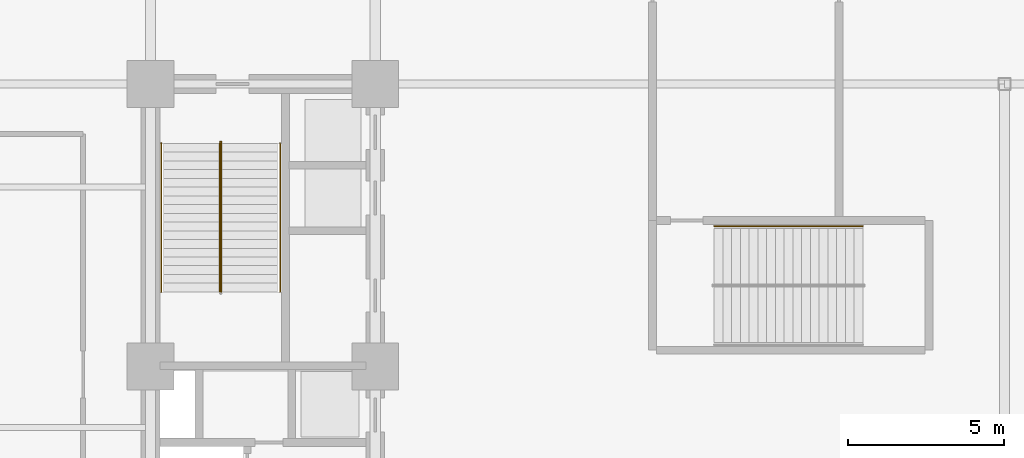
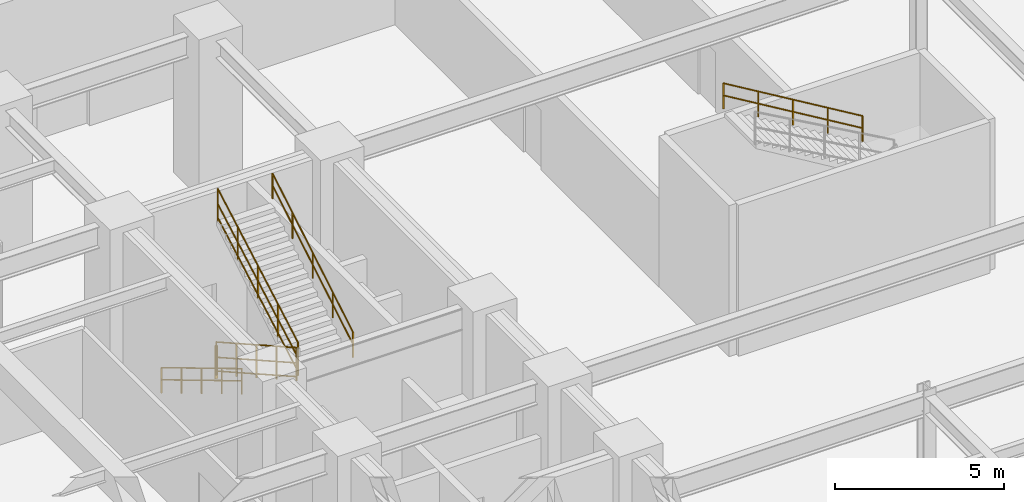
# One storey, part 16 of 18: 6 railings.
"""IFC4 building model written with IfcOpenShell, lengths in metres."""

from ifc_helpers import new_model, entity, si_unit, converted_unit, direction, frame, origin_with_axes, origin_2d_with_axis, place, context, subcontext, project, spatial, rectangle, circle, extrude, material, type_object, element, save


model = new_model("IFC4")

# Units and contexts
model_context = context("Model", 3, precision=1e-05, world=origin_with_axes(), true_north=direction((0.0, 1.0)))
body_context = subcontext(model_context, "Body", "Model", "MODEL_VIEW")
ifc_project = project(units=[si_unit("LENGTHUNIT", "METRE"), si_unit("AREAUNIT", "SQUARE_METRE"), si_unit("VOLUMEUNIT", "CUBIC_METRE"), converted_unit("PLANEANGLEUNIT", "DEGREE", entity("IfcPlaneAngleMeasure", 0.017453292519943295), si_unit("PLANEANGLEUNIT", "RADIAN"), dimensions=[0, 0, 0, 0, 0, 0, 0]), si_unit("MASSUNIT", "GRAM", prefix="KILO"), si_unit("THERMODYNAMICTEMPERATUREUNIT", "KELVIN")], contexts=[model_context])

# Site, building, storey
site_placement = place(None, origin_with_axes())
site = spatial("IfcSite", under=ifc_project, at=site_placement, CompositionType="ELEMENT")
building_placement = place(site_placement, origin_with_axes())
building = spatial("IfcBuilding", under=site, at=building_placement, Name="Varnlund Millrace Tower", CompositionType="ELEMENT")
storey_placement = place(building_placement, origin_with_axes())
storey = spatial("IfcBuildingStorey", under=building, at=storey_placement, Name="L00", CompositionType="ELEMENT", Elevation=0.0)

# Railings
ifc_material_1 = material(Name="Painted steel stair well balustrade guard", Category="steel")
railing_type_1 = type_object("IfcRailingType", Name="Type-StairGuard-1150", PredefinedType="GUARDRAIL", material=ifc_material_1)
railing_1_placement = place(storey_placement, origin_with_axes())
element("IfcRailing", 1, at=railing_1_placement, inside=storey, type_object=railing_type_1, Name="Type-StairGuard-1150", PredefinedType="GUARDRAIL", context=body_context, shape_type="SweptSolid", body=[
    extrude(circle(Radius=0.024, at=origin_2d_with_axis()), frame((13.625, 35.9, 1.317647), z_axis=(0.0, -0.871196, 0.490936), x_axis=(1.0, 0.0, 0.0)), (0.0, 0.0, 1.0), 5.463755),
    extrude(circle(Radius=0.024, at=origin_2d_with_axis()), frame((13.625, 35.9, 0.267647), z_axis=(0.0, -0.871196, 0.490936), x_axis=(1.0, 0.0, 0.0)), (0.0, 0.0, 1.0), 5.463755),
    extrude(circle(Radius=0.024, at=origin_2d_with_axis()), frame((13.625, 35.9, 0.765647), z_axis=(0.0, -0.871196, 0.490936), x_axis=(1.0, 0.0, 0.0)), (0.0, 0.0, 1.0), 5.463755),
    extrude(rectangle(XDim=0.04, YDim=0.04, at=origin_2d_with_axis()), frame((13.625, 35.9, 0.127647), z_axis=(0.0, 0.0, 1.0), x_axis=(1.0, 0.0, 0.0)), (0.0, 0.0, 1.0), 1.19),
    extrude(rectangle(XDim=0.04, YDim=0.04, at=origin_2d_with_axis()), frame((13.625, 34.71, 0.798235), z_axis=(0.0, 0.0, 1.0), x_axis=(1.0, 0.0, 0.0)), (0.0, 0.0, 1.0), 1.19),
    extrude(rectangle(XDim=0.04, YDim=0.04, at=origin_2d_with_axis()), frame((13.625, 33.52, 1.468824), z_axis=(0.0, 0.0, 1.0), x_axis=(1.0, 0.0, 0.0)), (0.0, 0.0, 1.0), 1.19),
    extrude(rectangle(XDim=0.04, YDim=0.04, at=origin_2d_with_axis()), frame((13.625, 32.33, 2.139412), z_axis=(0.0, 0.0, 1.0), x_axis=(1.0, 0.0, 0.0)), (0.0, 0.0, 1.0), 1.19),
    extrude(rectangle(XDim=0.04, YDim=0.04, at=origin_2d_with_axis()), frame((13.625, 31.14, 2.81), z_axis=(0.0, 0.0, 1.0), x_axis=(1.0, 0.0, 0.0)), (0.0, 0.0, 1.0), 1.19),
])
railing_2_placement = place(storey_placement, origin_with_axes())
element("IfcRailing", 2, at=railing_2_placement, inside=storey, type_object=railing_type_1, Name="Type-StairGuard-1150", PredefinedType="GUARDRAIL", context=body_context, shape_type="SweptSolid", body=[
    extrude(circle(Radius=0.024, at=origin_2d_with_axis()), frame((13.675, 31.14, 4.167647), z_axis=(0.0, 0.871196, 0.490936), x_axis=(-1.0, 0.0, 0.0)), (0.0, 0.0, 1.0), 5.463755),
    extrude(circle(Radius=0.024, at=origin_2d_with_axis()), frame((13.675, 31.14, 3.117647), z_axis=(0.0, 0.871196, 0.490936), x_axis=(-1.0, 0.0, 0.0)), (0.0, 0.0, 1.0), 5.463755),
    extrude(circle(Radius=0.024, at=origin_2d_with_axis()), frame((13.675, 31.14, 3.615647), z_axis=(0.0, 0.871196, 0.490936), x_axis=(-1.0, 0.0, 0.0)), (0.0, 0.0, 1.0), 5.463755),
    extrude(rectangle(XDim=0.04, YDim=0.04, at=origin_2d_with_axis()), frame((13.675, 31.14, 2.977647), z_axis=(0.0, 0.0, 1.0), x_axis=(1.0, 0.0, 0.0)), (0.0, 0.0, 1.0), 1.19),
    extrude(rectangle(XDim=0.04, YDim=0.04, at=origin_2d_with_axis()), frame((13.675, 32.33, 3.648235), z_axis=(0.0, 0.0, 1.0), x_axis=(1.0, 0.0, 0.0)), (0.0, 0.0, 1.0), 1.19),
    extrude(rectangle(XDim=0.04, YDim=0.04, at=origin_2d_with_axis()), frame((13.675, 33.52, 4.318824), z_axis=(0.0, 0.0, 1.0), x_axis=(1.0, 0.0, 0.0)), (0.0, 0.0, 1.0), 1.19),
    extrude(rectangle(XDim=0.04, YDim=0.04, at=origin_2d_with_axis()), frame((13.675, 34.71, 4.989412), z_axis=(0.0, 0.0, 1.0), x_axis=(1.0, 0.0, 0.0)), (0.0, 0.0, 1.0), 1.19),
    extrude(rectangle(XDim=0.04, YDim=0.04, at=origin_2d_with_axis()), frame((13.675, 35.9, 5.66), z_axis=(0.0, 0.0, 1.0), x_axis=(1.0, 0.0, 0.0)), (0.0, 0.0, 1.0), 1.19),
])
railing_3_placement = place(storey_placement, origin_with_axes())
element("IfcRailing", 3, at=railing_3_placement, inside=storey, type_object=railing_type_1, Name="Type-StairGuard-1150", PredefinedType="GUARDRAIL", context=body_context, shape_type="SweptSolid", body=[
    extrude(circle(Radius=0.024, at=origin_2d_with_axis()), frame((13.675, 35.95, 1.15), z_axis=(-1.0, 0.0, 0.0), x_axis=(0.0, -1.0, 0.0)), (0.0, 0.0, 1.0), 0.05),
    extrude(circle(Radius=0.024, at=origin_2d_with_axis()), frame((13.675, 35.95, 0.1), z_axis=(-1.0, 0.0, 0.0), x_axis=(0.0, -1.0, 0.0)), (0.0, 0.0, 1.0), 0.05),
    extrude(circle(Radius=0.024, at=origin_2d_with_axis()), frame((13.675, 35.95, 0.598), z_axis=(-1.0, 0.0, 0.0), x_axis=(0.0, -1.0, 0.0)), (0.0, 0.0, 1.0), 0.05),
    extrude(rectangle(XDim=0.04, YDim=0.04, at=origin_2d_with_axis()), frame((13.675, 35.95, -0.04), z_axis=(0.0, 0.0, 1.0), x_axis=(1.0, 0.0, 0.0)), (0.0, 0.0, 1.0), 1.19),
    extrude(rectangle(XDim=0.04, YDim=0.04, at=origin_2d_with_axis()), frame((13.625, 35.95, -0.04), z_axis=(0.0, 0.0, 1.0), x_axis=(1.0, 0.0, 0.0)), (0.0, 0.0, 1.0), 1.19),
])
ifc_material_2 = material(Name="Brushed architectural bronze stair handrail", Category="aluminium")
railing_type_2 = type_object("IfcRailingType", Name="Type-StairHandrail-900", PredefinedType="HANDRAIL", material=ifc_material_2)
railing_4_placement = place(storey_placement, origin_with_axes())
element("IfcRailing", 4, at=railing_4_placement, inside=storey, type_object=railing_type_2, Name="Type-StairHandrail-900", PredefinedType="HANDRAIL", context=body_context, shape_type="SweptSolid", body=[
    extrude(circle(Radius=0.024, at=origin_2d_with_axis()), frame((11.75, 35.9, 1.047056), z_axis=(0.0, -0.85797, 0.5137), x_axis=(1.0, 0.0, 0.0)), (0.0, 0.0, 1.0), 5.547982),
    extrude(circle(Radius=0.024, at=origin_2d_with_axis()), frame((11.75, 35.9, 0.607351), z_axis=(0.0, -0.85797, 0.5137), x_axis=(1.0, 0.0, 0.0)), (0.0, 0.0, 1.0), 5.547982),
    extrude(rectangle(XDim=0.04, YDim=0.04, at=origin_2d_with_axis()), frame((11.75, 35.9, 0.127647), z_axis=(0.0, 0.0, 1.0), x_axis=(1.0, 0.0, 0.0)), (0.0, 0.0, 1.0), 0.919409),
    extrude(rectangle(XDim=0.04, YDim=0.04, at=origin_2d_with_axis()), frame((11.75, 34.71, 0.840147), z_axis=(0.0, 0.0, 1.0), x_axis=(1.0, 0.0, 0.0)), (0.0, 0.0, 1.0), 0.919409),
    extrude(rectangle(XDim=0.04, YDim=0.04, at=origin_2d_with_axis()), frame((11.75, 33.52, 1.552647), z_axis=(0.0, 0.0, 1.0), x_axis=(1.0, 0.0, 0.0)), (0.0, 0.0, 1.0), 0.919409),
    extrude(rectangle(XDim=0.04, YDim=0.04, at=origin_2d_with_axis()), frame((11.75, 32.33, 2.265147), z_axis=(0.0, 0.0, 1.0), x_axis=(1.0, 0.0, 0.0)), (0.0, 0.0, 1.0), 0.919409),
    extrude(rectangle(XDim=0.04, YDim=0.04, at=origin_2d_with_axis()), frame((11.75, 31.14, 2.977647), z_axis=(0.0, 0.0, 1.0), x_axis=(1.0, 0.0, 0.0)), (0.0, 0.0, 1.0), 0.919409),
])
railing_5_placement = place(storey_placement, origin_with_axes())
element("IfcRailing", 5, at=railing_5_placement, inside=storey, type_object=railing_type_2, Name="Type-StairHandrail-900", PredefinedType="HANDRAIL", context=body_context, shape_type="SweptSolid", body=[
    extrude(circle(Radius=0.024, at=origin_2d_with_axis()), frame((15.55, 31.14, 3.897056), z_axis=(0.0, 0.85797, 0.5137), x_axis=(-1.0, 0.0, 0.0)), (0.0, 0.0, 1.0), 5.547982),
    extrude(circle(Radius=0.024, at=origin_2d_with_axis()), frame((15.55, 31.14, 3.457351), z_axis=(0.0, 0.85797, 0.5137), x_axis=(-1.0, 0.0, 0.0)), (0.0, 0.0, 1.0), 5.547982),
    extrude(rectangle(XDim=0.04, YDim=0.04, at=origin_2d_with_axis()), frame((15.55, 31.14, 2.977647), z_axis=(0.0, 0.0, 1.0), x_axis=(1.0, 0.0, 0.0)), (0.0, 0.0, 1.0), 0.919409),
    extrude(rectangle(XDim=0.04, YDim=0.04, at=origin_2d_with_axis()), frame((15.55, 32.33, 3.690147), z_axis=(0.0, 0.0, 1.0), x_axis=(1.0, 0.0, 0.0)), (0.0, 0.0, 1.0), 0.919409),
    extrude(rectangle(XDim=0.04, YDim=0.04, at=origin_2d_with_axis()), frame((15.55, 33.52, 4.402647), z_axis=(0.0, 0.0, 1.0), x_axis=(1.0, 0.0, 0.0)), (0.0, 0.0, 1.0), 0.919409),
    extrude(rectangle(XDim=0.04, YDim=0.04, at=origin_2d_with_axis()), frame((15.55, 34.71, 5.115147), z_axis=(0.0, 0.0, 1.0), x_axis=(1.0, 0.0, 0.0)), (0.0, 0.0, 1.0), 0.919409),
    extrude(rectangle(XDim=0.04, YDim=0.04, at=origin_2d_with_axis()), frame((15.55, 35.9, 5.827647), z_axis=(0.0, 0.0, 1.0), x_axis=(1.0, 0.0, 0.0)), (0.0, 0.0, 1.0), 0.919409),
])
railing_6_placement = place(storey_placement, origin_with_axes())
element("IfcRailing", 6, at=railing_6_placement, inside=storey, type_object=railing_type_2, Name="Type-StairHandrail-900", PredefinedType="HANDRAIL", context=body_context, shape_type="SweptSolid", body=[
    extrude(circle(Radius=0.024, at=origin_2d_with_axis()), frame((34.21, 33.25, 3.897056), z_axis=(-0.85797, 0.0, 0.5137), x_axis=(0.0, -1.0, 0.0)), (0.0, 0.0, 1.0), 5.547982),
    extrude(circle(Radius=0.024, at=origin_2d_with_axis()), frame((34.21, 33.25, 3.457351), z_axis=(-0.85797, 0.0, 0.5137), x_axis=(0.0, -1.0, 0.0)), (0.0, 0.0, 1.0), 5.547982),
    extrude(rectangle(XDim=0.04, YDim=0.04, at=origin_2d_with_axis()), frame((34.21, 33.25, 2.977647), z_axis=(0.0, 0.0, 1.0), x_axis=(1.0, 0.0, 0.0)), (0.0, 0.0, 1.0), 0.919409),
    extrude(rectangle(XDim=0.04, YDim=0.04, at=origin_2d_with_axis()), frame((33.02, 33.25, 3.690147), z_axis=(0.0, 0.0, 1.0), x_axis=(1.0, 0.0, 0.0)), (0.0, 0.0, 1.0), 0.919409),
    extrude(rectangle(XDim=0.04, YDim=0.04, at=origin_2d_with_axis()), frame((31.83, 33.25, 4.402647), z_axis=(0.0, 0.0, 1.0), x_axis=(1.0, 0.0, 0.0)), (0.0, 0.0, 1.0), 0.919409),
    extrude(rectangle(XDim=0.04, YDim=0.04, at=origin_2d_with_axis()), frame((30.64, 33.25, 5.115147), z_axis=(0.0, 0.0, 1.0), x_axis=(1.0, 0.0, 0.0)), (0.0, 0.0, 1.0), 0.919409),
    extrude(rectangle(XDim=0.04, YDim=0.04, at=origin_2d_with_axis()), frame((29.45, 33.25, 5.827647), z_axis=(0.0, 0.0, 1.0), x_axis=(1.0, 0.0, 0.0)), (0.0, 0.0, 1.0), 0.919409),
])

save(model, "model.ifc")
